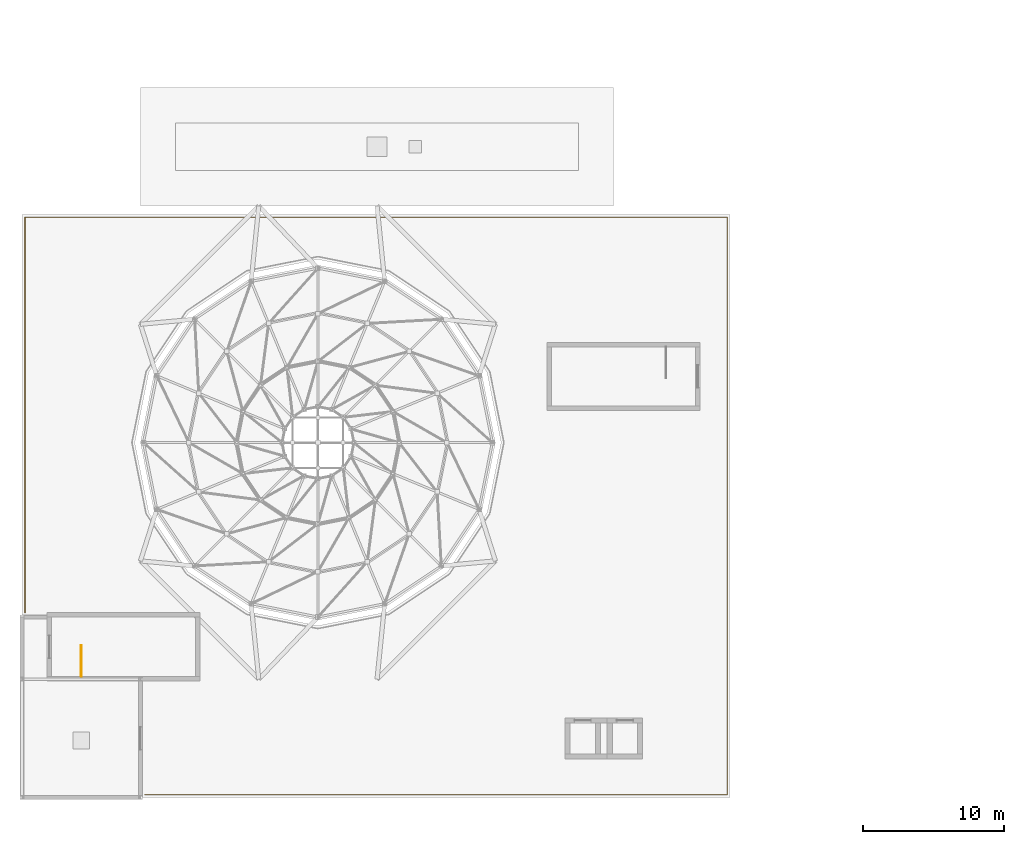
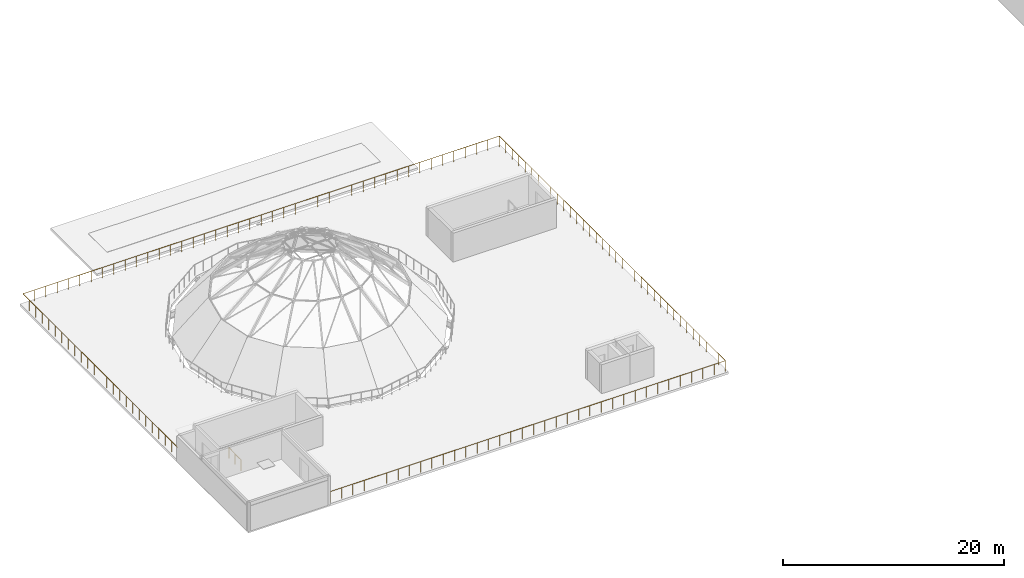
# One storey, part 34 of 40: 2 railings.
"""IFC4 building model written with IfcOpenShell, lengths in metres."""

from ifc_helpers import new_model, si_unit, direction, frame, origin, origin_2d, place, context, subcontext, project, spatial, circle, extrude, material, type_object, element, save


model = new_model("IFC4")

# Units and contexts
model_context = context("Model", 3, precision=1e-05, world=origin(), true_north=direction((0.0, 1.0)))
body_context = subcontext(model_context, "Body", "Model", "MODEL_VIEW")
ifc_project = project(units=[si_unit("LENGTHUNIT", "METRE"), si_unit("AREAUNIT", "SQUARE_METRE"), si_unit("VOLUMEUNIT", "CUBIC_METRE"), si_unit("PLANEANGLEUNIT", "RADIAN"), si_unit("MASSUNIT", "GRAM", prefix="KILO"), si_unit("THERMODYNAMICTEMPERATUREUNIT", "KELVIN")], contexts=[model_context])

# Site, building, storey
site_placement = place(None, origin())
site = spatial("IfcSite", under=ifc_project, at=site_placement, CompositionType="ELEMENT")
building_placement = place(site_placement, origin())
building = spatial("IfcBuilding", under=site, at=building_placement, Name="Lustrewick Department Store", CompositionType="ELEMENT")
storey_placement = place(building_placement, frame((0.0, 0.0, 31.800048828125)))
storey = spatial("IfcBuildingStorey", under=building, at=storey_placement, Name="L07", CompositionType="ELEMENT", Elevation=31.800048828125)

# Railings
ifc_material_1 = material(Name="Laminated glass and anodized aluminium guardrail", Category="aluminium")
railing_type_1 = type_object("IfcRailingType", Name="RL-EXT", PredefinedType="GUARDRAIL", material=ifc_material_1)
railing_1_placement = place(storey_placement, frame((8.60009765625, 55.10009765625, 0.0)))
element("IfcRailing", 1, at=railing_1_placement, inside=storey, type_object=railing_type_1, Name="L07 Terrace Perimeter Guardrail 0001", PredefinedType="GUARDRAIL", context=body_context, shape_type="SweptSolid", body=[
    extrude(circle(Radius=0.02392578125, at=origin_2d()), frame((0.0, 0.0, 1.17578125), z_axis=(0.0, 1.0, 0.0), x_axis=(-1.0, 0.0, 0.0)), (0.0, 0.0, 1.0), 28.099853515625),
    extrude(circle(Radius=0.02392578125, at=origin_2d()), frame((0.0, 28.099853515625, 1.17578125), z_axis=(1.0, 0.0, 0.0), x_axis=(0.0, 1.0, 0.0)), (0.0, 0.0, 1.0), 49.849853515625),
    extrude(circle(Radius=0.02392578125, at=origin_2d()), frame((49.849853515625, 28.099853515625, 1.17578125), z_axis=(0.0, -1.0, 0.0), x_axis=(1.0, 0.0, 0.0)), (0.0, 0.0, 1.0), 41.0),
    extrude(circle(Radius=0.02392578125, at=origin_2d()), frame((49.849853515625, -12.900146484375, 1.17578125), z_axis=(-1.0, 0.0, 0.0), x_axis=(0.0, -1.0, 0.0)), (0.0, 0.0, 1.0), 41.349853515625),
    extrude(circle(Radius=0.02099609375, at=origin_2d()), origin(), (0.0, 0.0, 1.0), 1.15185546875),
    extrude(circle(Radius=0.02099609375, at=origin_2d()), frame((0.0, 1.1708984375, 0.0)), (0.0, 0.0, 1.0), 1.15185546875),
    extrude(circle(Radius=0.02099609375, at=origin_2d()), frame((0.0, 2.341552734375, 0.0)), (0.0, 0.0, 1.0), 1.15185546875),
    extrude(circle(Radius=0.02099609375, at=origin_2d()), frame((0.0, 3.512451171875, 0.0)), (0.0, 0.0, 1.0), 1.15185546875),
    extrude(circle(Radius=0.02099609375, at=origin_2d()), frame((0.0, 4.683349609375, 0.0)), (0.0, 0.0, 1.0), 1.15185546875),
    extrude(circle(Radius=0.02099609375, at=origin_2d()), frame((0.0, 5.854248046875, 0.0)), (0.0, 0.0, 1.0), 1.15185546875),
    extrude(circle(Radius=0.02099609375, at=origin_2d()), frame((0.0, 7.02490234375, 0.0)), (0.0, 0.0, 1.0), 1.15185546875),
    extrude(circle(Radius=0.02099609375, at=origin_2d()), frame((0.0, 8.19580078125, 0.0)), (0.0, 0.0, 1.0), 1.15185546875),
    extrude(circle(Radius=0.02099609375, at=origin_2d()), frame((0.0, 9.36669921875, 0.0)), (0.0, 0.0, 1.0), 1.15185546875),
    extrude(circle(Radius=0.02099609375, at=origin_2d()), frame((0.0, 10.537353515625, 0.0)), (0.0, 0.0, 1.0), 1.15185546875),
    extrude(circle(Radius=0.02099609375, at=origin_2d()), frame((0.0, 11.708251953125, 0.0)), (0.0, 0.0, 1.0), 1.15185546875),
    extrude(circle(Radius=0.02099609375, at=origin_2d()), frame((0.0, 12.879150390625, 0.0)), (0.0, 0.0, 1.0), 1.15185546875),
    extrude(circle(Radius=0.02099609375, at=origin_2d()), frame((0.0, 14.0498046875, 0.0)), (0.0, 0.0, 1.0), 1.15185546875),
    extrude(circle(Radius=0.02099609375, at=origin_2d()), frame((0.0, 15.220703125, 0.0)), (0.0, 0.0, 1.0), 1.15185546875),
    extrude(circle(Radius=0.02099609375, at=origin_2d()), frame((0.0, 16.3916015625, 0.0)), (0.0, 0.0, 1.0), 1.15185546875),
    extrude(circle(Radius=0.02099609375, at=origin_2d()), frame((0.0, 17.5625, 0.0)), (0.0, 0.0, 1.0), 1.15185546875),
    extrude(circle(Radius=0.02099609375, at=origin_2d()), frame((0.0, 18.733154296875, 0.0)), (0.0, 0.0, 1.0), 1.15185546875),
    extrude(circle(Radius=0.02099609375, at=origin_2d()), frame((0.0, 19.904052734375, 0.0)), (0.0, 0.0, 1.0), 1.15185546875),
    extrude(circle(Radius=0.02099609375, at=origin_2d()), frame((0.0, 21.074951171875, 0.0)), (0.0, 0.0, 1.0), 1.15185546875),
    extrude(circle(Radius=0.02099609375, at=origin_2d()), frame((0.0, 22.24560546875, 0.0)), (0.0, 0.0, 1.0), 1.15185546875),
    extrude(circle(Radius=0.02099609375, at=origin_2d()), frame((0.0, 23.41650390625, 0.0)), (0.0, 0.0, 1.0), 1.15185546875),
    extrude(circle(Radius=0.02099609375, at=origin_2d()), frame((0.0, 24.58740234375, 0.0)), (0.0, 0.0, 1.0), 1.15185546875),
    extrude(circle(Radius=0.02099609375, at=origin_2d()), frame((0.0, 25.75830078125, 0.0)), (0.0, 0.0, 1.0), 1.15185546875),
    extrude(circle(Radius=0.02099609375, at=origin_2d()), frame((0.0, 26.928955078125, 0.0)), (0.0, 0.0, 1.0), 1.15185546875),
    extrude(circle(Radius=0.02099609375, at=origin_2d()), frame((0.0, 28.099853515625, 0.0)), (0.0, 0.0, 1.0), 1.15185546875),
    extrude(circle(Radius=0.02099609375, at=origin_2d()), frame((1.18701171875, 28.099853515625, 0.0)), (0.0, 0.0, 1.0), 1.15185546875),
    extrude(circle(Radius=0.02099609375, at=origin_2d()), frame((2.373779296875, 28.099853515625, 0.0)), (0.0, 0.0, 1.0), 1.15185546875),
    extrude(circle(Radius=0.02099609375, at=origin_2d()), frame((3.560791015625, 28.099853515625, 0.0)), (0.0, 0.0, 1.0), 1.15185546875),
    extrude(circle(Radius=0.02099609375, at=origin_2d()), frame((4.74755859375, 28.099853515625, 0.0)), (0.0, 0.0, 1.0), 1.15185546875),
    extrude(circle(Radius=0.02099609375, at=origin_2d()), frame((5.9345703125, 28.099853515625, 0.0)), (0.0, 0.0, 1.0), 1.15185546875),
    extrude(circle(Radius=0.02099609375, at=origin_2d()), frame((7.121337890625, 28.099853515625, 0.0)), (0.0, 0.0, 1.0), 1.15185546875),
    extrude(circle(Radius=0.02099609375, at=origin_2d()), frame((8.308349609375, 28.099853515625, 0.0)), (0.0, 0.0, 1.0), 1.15185546875),
    extrude(circle(Radius=0.02099609375, at=origin_2d()), frame((9.4951171875, 28.099853515625, 0.0)), (0.0, 0.0, 1.0), 1.15185546875),
    extrude(circle(Radius=0.02099609375, at=origin_2d()), frame((10.68212890625, 28.099853515625, 0.0)), (0.0, 0.0, 1.0), 1.15185546875),
    extrude(circle(Radius=0.02099609375, at=origin_2d()), frame((11.868896484375, 28.099853515625, 0.0)), (0.0, 0.0, 1.0), 1.15185546875),
    extrude(circle(Radius=0.02099609375, at=origin_2d()), frame((13.055908203125, 28.099853515625, 0.0)), (0.0, 0.0, 1.0), 1.15185546875),
    extrude(circle(Radius=0.02099609375, at=origin_2d()), frame((14.242919921875, 28.099853515625, 0.0)), (0.0, 0.0, 1.0), 1.15185546875),
    extrude(circle(Radius=0.02099609375, at=origin_2d()), frame((15.4296875, 28.099853515625, 0.0)), (0.0, 0.0, 1.0), 1.15185546875),
    extrude(circle(Radius=0.02099609375, at=origin_2d()), frame((16.61669921875, 28.099853515625, 0.0)), (0.0, 0.0, 1.0), 1.15185546875),
    extrude(circle(Radius=0.02099609375, at=origin_2d()), frame((17.803466796875, 28.099853515625, 0.0)), (0.0, 0.0, 1.0), 1.15185546875),
    extrude(circle(Radius=0.02099609375, at=origin_2d()), frame((18.990478515625, 28.099853515625, 0.0)), (0.0, 0.0, 1.0), 1.15185546875),
    extrude(circle(Radius=0.02099609375, at=origin_2d()), frame((20.17724609375, 28.099853515625, 0.0)), (0.0, 0.0, 1.0), 1.15185546875),
    extrude(circle(Radius=0.02099609375, at=origin_2d()), frame((21.3642578125, 28.099853515625, 0.0)), (0.0, 0.0, 1.0), 1.15185546875),
    extrude(circle(Radius=0.02099609375, at=origin_2d()), frame((22.551025390625, 28.099853515625, 0.0)), (0.0, 0.0, 1.0), 1.15185546875),
    extrude(circle(Radius=0.02099609375, at=origin_2d()), frame((23.738037109375, 28.099853515625, 0.0)), (0.0, 0.0, 1.0), 1.15185546875),
    extrude(circle(Radius=0.02099609375, at=origin_2d()), frame((24.9248046875, 28.099853515625, 0.0)), (0.0, 0.0, 1.0), 1.15185546875),
    extrude(circle(Radius=0.02099609375, at=origin_2d()), frame((26.11181640625, 28.099853515625, 0.0)), (0.0, 0.0, 1.0), 1.15185546875),
    extrude(circle(Radius=0.02099609375, at=origin_2d()), frame((27.298828125, 28.099853515625, 0.0)), (0.0, 0.0, 1.0), 1.15185546875),
    extrude(circle(Radius=0.02099609375, at=origin_2d()), frame((28.485595703125, 28.099853515625, 0.0)), (0.0, 0.0, 1.0), 1.15185546875),
    extrude(circle(Radius=0.02099609375, at=origin_2d()), frame((29.672607421875, 28.099853515625, 0.0)), (0.0, 0.0, 1.0), 1.15185546875),
    extrude(circle(Radius=0.02099609375, at=origin_2d()), frame((30.859375, 28.099853515625, 0.0)), (0.0, 0.0, 1.0), 1.15185546875),
    extrude(circle(Radius=0.02099609375, at=origin_2d()), frame((32.04638671875, 28.099853515625, 0.0)), (0.0, 0.0, 1.0), 1.15185546875),
    extrude(circle(Radius=0.02099609375, at=origin_2d()), frame((33.233154296875, 28.099853515625, 0.0)), (0.0, 0.0, 1.0), 1.15185546875),
    extrude(circle(Radius=0.02099609375, at=origin_2d()), frame((34.420166015625, 28.099853515625, 0.0)), (0.0, 0.0, 1.0), 1.15185546875),
    extrude(circle(Radius=0.02099609375, at=origin_2d()), frame((35.60693359375, 28.099853515625, 0.0)), (0.0, 0.0, 1.0), 1.15185546875),
    extrude(circle(Radius=0.02099609375, at=origin_2d()), frame((36.7939453125, 28.099853515625, 0.0)), (0.0, 0.0, 1.0), 1.15185546875),
    extrude(circle(Radius=0.02099609375, at=origin_2d()), frame((37.98095703125, 28.099853515625, 0.0)), (0.0, 0.0, 1.0), 1.15185546875),
    extrude(circle(Radius=0.02099609375, at=origin_2d()), frame((39.167724609375, 28.099853515625, 0.0)), (0.0, 0.0, 1.0), 1.15185546875),
    extrude(circle(Radius=0.02099609375, at=origin_2d()), frame((40.354736328125, 28.099853515625, 0.0)), (0.0, 0.0, 1.0), 1.15185546875),
    extrude(circle(Radius=0.02099609375, at=origin_2d()), frame((41.54150390625, 28.099853515625, 0.0)), (0.0, 0.0, 1.0), 1.15185546875),
    extrude(circle(Radius=0.02099609375, at=origin_2d()), frame((42.728515625, 28.099853515625, 0.0)), (0.0, 0.0, 1.0), 1.15185546875),
    extrude(circle(Radius=0.02099609375, at=origin_2d()), frame((43.915283203125, 28.099853515625, 0.0)), (0.0, 0.0, 1.0), 1.15185546875),
    extrude(circle(Radius=0.02099609375, at=origin_2d()), frame((45.102294921875, 28.099853515625, 0.0)), (0.0, 0.0, 1.0), 1.15185546875),
    extrude(circle(Radius=0.02099609375, at=origin_2d()), frame((46.2890625, 28.099853515625, 0.0)), (0.0, 0.0, 1.0), 1.15185546875),
    extrude(circle(Radius=0.02099609375, at=origin_2d()), frame((47.47607421875, 28.099853515625, 0.0)), (0.0, 0.0, 1.0), 1.15185546875),
    extrude(circle(Radius=0.02099609375, at=origin_2d()), frame((48.662841796875, 28.099853515625, 0.0)), (0.0, 0.0, 1.0), 1.15185546875),
    extrude(circle(Radius=0.02099609375, at=origin_2d()), frame((49.849853515625, 28.099853515625, 0.0)), (0.0, 0.0, 1.0), 1.15185546875),
    extrude(circle(Radius=0.02099609375, at=origin_2d()), frame((49.849853515625, 26.928466796875, 0.0)), (0.0, 0.0, 1.0), 1.15185546875),
    extrude(circle(Radius=0.02099609375, at=origin_2d()), frame((49.849853515625, 25.757080078125, 0.0)), (0.0, 0.0, 1.0), 1.15185546875),
    extrude(circle(Radius=0.02099609375, at=origin_2d()), frame((49.849853515625, 24.58544921875, 0.0)), (0.0, 0.0, 1.0), 1.15185546875),
    extrude(circle(Radius=0.02099609375, at=origin_2d()), frame((49.849853515625, 23.4140625, 0.0)), (0.0, 0.0, 1.0), 1.15185546875),
    extrude(circle(Radius=0.02099609375, at=origin_2d()), frame((49.849853515625, 22.24267578125, 0.0)), (0.0, 0.0, 1.0), 1.15185546875),
    extrude(circle(Radius=0.02099609375, at=origin_2d()), frame((49.849853515625, 21.0712890625, 0.0)), (0.0, 0.0, 1.0), 1.15185546875),
    extrude(circle(Radius=0.02099609375, at=origin_2d()), frame((49.849853515625, 19.89990234375, 0.0)), (0.0, 0.0, 1.0), 1.15185546875),
    extrude(circle(Radius=0.02099609375, at=origin_2d()), frame((49.849853515625, 18.728515625, 0.0)), (0.0, 0.0, 1.0), 1.15185546875),
    extrude(circle(Radius=0.02099609375, at=origin_2d()), frame((49.849853515625, 17.556884765625, 0.0)), (0.0, 0.0, 1.0), 1.15185546875),
    extrude(circle(Radius=0.02099609375, at=origin_2d()), frame((49.849853515625, 16.385498046875, 0.0)), (0.0, 0.0, 1.0), 1.15185546875),
    extrude(circle(Radius=0.02099609375, at=origin_2d()), frame((49.849853515625, 15.214111328125, 0.0)), (0.0, 0.0, 1.0), 1.15185546875),
    extrude(circle(Radius=0.02099609375, at=origin_2d()), frame((49.849853515625, 14.042724609375, 0.0)), (0.0, 0.0, 1.0), 1.15185546875),
    extrude(circle(Radius=0.02099609375, at=origin_2d()), frame((49.849853515625, 12.871337890625, 0.0)), (0.0, 0.0, 1.0), 1.15185546875),
    extrude(circle(Radius=0.02099609375, at=origin_2d()), frame((49.849853515625, 11.699951171875, 0.0)), (0.0, 0.0, 1.0), 1.15185546875),
    extrude(circle(Radius=0.02099609375, at=origin_2d()), frame((49.849853515625, 10.5283203125, 0.0)), (0.0, 0.0, 1.0), 1.15185546875),
    extrude(circle(Radius=0.02099609375, at=origin_2d()), frame((49.849853515625, 9.35693359375, 0.0)), (0.0, 0.0, 1.0), 1.15185546875),
    extrude(circle(Radius=0.02099609375, at=origin_2d()), frame((49.849853515625, 8.185546875, 0.0)), (0.0, 0.0, 1.0), 1.15185546875),
    extrude(circle(Radius=0.02099609375, at=origin_2d()), frame((49.849853515625, 7.01416015625, 0.0)), (0.0, 0.0, 1.0), 1.15185546875),
    extrude(circle(Radius=0.02099609375, at=origin_2d()), frame((49.849853515625, 5.8427734375, 0.0)), (0.0, 0.0, 1.0), 1.15185546875),
    extrude(circle(Radius=0.02099609375, at=origin_2d()), frame((49.849853515625, 4.67138671875, 0.0)), (0.0, 0.0, 1.0), 1.15185546875),
    extrude(circle(Radius=0.02099609375, at=origin_2d()), frame((49.849853515625, 3.499755859375, 0.0)), (0.0, 0.0, 1.0), 1.15185546875),
    extrude(circle(Radius=0.02099609375, at=origin_2d()), frame((49.849853515625, 2.328369140625, 0.0)), (0.0, 0.0, 1.0), 1.15185546875),
    extrude(circle(Radius=0.02099609375, at=origin_2d()), frame((49.849853515625, 1.156982421875, 0.0)), (0.0, 0.0, 1.0), 1.15185546875),
    extrude(circle(Radius=0.02099609375, at=origin_2d()), frame((49.849853515625, -0.014404296875, 0.0)), (0.0, 0.0, 1.0), 1.15185546875),
    extrude(circle(Radius=0.02099609375, at=origin_2d()), frame((49.849853515625, -1.185791015625, 0.0)), (0.0, 0.0, 1.0), 1.15185546875),
    extrude(circle(Radius=0.02099609375, at=origin_2d()), frame((49.849853515625, -2.357177734375, 0.0)), (0.0, 0.0, 1.0), 1.15185546875),
    extrude(circle(Radius=0.02099609375, at=origin_2d()), frame((49.849853515625, -3.52880859375, 0.0)), (0.0, 0.0, 1.0), 1.15185546875),
    extrude(circle(Radius=0.02099609375, at=origin_2d()), frame((49.849853515625, -4.7001953125, 0.0)), (0.0, 0.0, 1.0), 1.15185546875),
    extrude(circle(Radius=0.02099609375, at=origin_2d()), frame((49.849853515625, -5.87158203125, 0.0)), (0.0, 0.0, 1.0), 1.15185546875),
    extrude(circle(Radius=0.02099609375, at=origin_2d()), frame((49.849853515625, -7.04296875, 0.0)), (0.0, 0.0, 1.0), 1.15185546875),
    extrude(circle(Radius=0.02099609375, at=origin_2d()), frame((49.849853515625, -8.21435546875, 0.0)), (0.0, 0.0, 1.0), 1.15185546875),
    extrude(circle(Radius=0.02099609375, at=origin_2d()), frame((49.849853515625, -9.3857421875, 0.0)), (0.0, 0.0, 1.0), 1.15185546875),
    extrude(circle(Radius=0.02099609375, at=origin_2d()), frame((49.849853515625, -10.557373046875, 0.0)), (0.0, 0.0, 1.0), 1.15185546875),
    extrude(circle(Radius=0.02099609375, at=origin_2d()), frame((49.849853515625, -11.728759765625, 0.0)), (0.0, 0.0, 1.0), 1.15185546875),
    extrude(circle(Radius=0.02099609375, at=origin_2d()), frame((49.849853515625, -12.900146484375, 0.0)), (0.0, 0.0, 1.0), 1.15185546875),
    extrude(circle(Radius=0.02099609375, at=origin_2d()), frame((48.66845703125, -12.900146484375, 0.0)), (0.0, 0.0, 1.0), 1.15185546875),
    extrude(circle(Radius=0.02099609375, at=origin_2d()), frame((47.487060546875, -12.900146484375, 0.0)), (0.0, 0.0, 1.0), 1.15185546875),
    extrude(circle(Radius=0.02099609375, at=origin_2d()), frame((46.3056640625, -12.900146484375, 0.0)), (0.0, 0.0, 1.0), 1.15185546875),
    extrude(circle(Radius=0.02099609375, at=origin_2d()), frame((45.124267578125, -12.900146484375, 0.0)), (0.0, 0.0, 1.0), 1.15185546875),
    extrude(circle(Radius=0.02099609375, at=origin_2d()), frame((43.942626953125, -12.900146484375, 0.0)), (0.0, 0.0, 1.0), 1.15185546875),
    extrude(circle(Radius=0.02099609375, at=origin_2d()), frame((42.76123046875, -12.900146484375, 0.0)), (0.0, 0.0, 1.0), 1.15185546875),
    extrude(circle(Radius=0.02099609375, at=origin_2d()), frame((41.579833984375, -12.900146484375, 0.0)), (0.0, 0.0, 1.0), 1.15185546875),
    extrude(circle(Radius=0.02099609375, at=origin_2d()), frame((40.3984375, -12.900146484375, 0.0)), (0.0, 0.0, 1.0), 1.15185546875),
    extrude(circle(Radius=0.02099609375, at=origin_2d()), frame((39.217041015625, -12.900146484375, 0.0)), (0.0, 0.0, 1.0), 1.15185546875),
    extrude(circle(Radius=0.02099609375, at=origin_2d()), frame((38.03564453125, -12.900146484375, 0.0)), (0.0, 0.0, 1.0), 1.15185546875),
    extrude(circle(Radius=0.02099609375, at=origin_2d()), frame((36.854248046875, -12.900146484375, 0.0)), (0.0, 0.0, 1.0), 1.15185546875),
    extrude(circle(Radius=0.02099609375, at=origin_2d()), frame((35.6728515625, -12.900146484375, 0.0)), (0.0, 0.0, 1.0), 1.15185546875),
    extrude(circle(Radius=0.02099609375, at=origin_2d()), frame((34.491455078125, -12.900146484375, 0.0)), (0.0, 0.0, 1.0), 1.15185546875),
    extrude(circle(Radius=0.02099609375, at=origin_2d()), frame((33.309814453125, -12.900146484375, 0.0)), (0.0, 0.0, 1.0), 1.15185546875),
    extrude(circle(Radius=0.02099609375, at=origin_2d()), frame((32.12841796875, -12.900146484375, 0.0)), (0.0, 0.0, 1.0), 1.15185546875),
    extrude(circle(Radius=0.02099609375, at=origin_2d()), frame((30.947021484375, -12.900146484375, 0.0)), (0.0, 0.0, 1.0), 1.15185546875),
    extrude(circle(Radius=0.02099609375, at=origin_2d()), frame((29.765625, -12.900146484375, 0.0)), (0.0, 0.0, 1.0), 1.15185546875),
    extrude(circle(Radius=0.02099609375, at=origin_2d()), frame((28.584228515625, -12.900146484375, 0.0)), (0.0, 0.0, 1.0), 1.15185546875),
    extrude(circle(Radius=0.02099609375, at=origin_2d()), frame((27.40283203125, -12.900146484375, 0.0)), (0.0, 0.0, 1.0), 1.15185546875),
    extrude(circle(Radius=0.02099609375, at=origin_2d()), frame((26.221435546875, -12.900146484375, 0.0)), (0.0, 0.0, 1.0), 1.15185546875),
    extrude(circle(Radius=0.02099609375, at=origin_2d()), frame((25.0400390625, -12.900146484375, 0.0)), (0.0, 0.0, 1.0), 1.15185546875),
    extrude(circle(Radius=0.02099609375, at=origin_2d()), frame((23.8583984375, -12.900146484375, 0.0)), (0.0, 0.0, 1.0), 1.15185546875),
    extrude(circle(Radius=0.02099609375, at=origin_2d()), frame((22.677001953125, -12.900146484375, 0.0)), (0.0, 0.0, 1.0), 1.15185546875),
    extrude(circle(Radius=0.02099609375, at=origin_2d()), frame((21.49560546875, -12.900146484375, 0.0)), (0.0, 0.0, 1.0), 1.15185546875),
    extrude(circle(Radius=0.02099609375, at=origin_2d()), frame((20.314208984375, -12.900146484375, 0.0)), (0.0, 0.0, 1.0), 1.15185546875),
    extrude(circle(Radius=0.02099609375, at=origin_2d()), frame((19.1328125, -12.900146484375, 0.0)), (0.0, 0.0, 1.0), 1.15185546875),
    extrude(circle(Radius=0.02099609375, at=origin_2d()), frame((17.951416015625, -12.900146484375, 0.0)), (0.0, 0.0, 1.0), 1.15185546875),
    extrude(circle(Radius=0.02099609375, at=origin_2d()), frame((16.77001953125, -12.900146484375, 0.0)), (0.0, 0.0, 1.0), 1.15185546875),
    extrude(circle(Radius=0.02099609375, at=origin_2d()), frame((15.588623046875, -12.900146484375, 0.0)), (0.0, 0.0, 1.0), 1.15185546875),
    extrude(circle(Radius=0.02099609375, at=origin_2d()), frame((14.4072265625, -12.900146484375, 0.0)), (0.0, 0.0, 1.0), 1.15185546875),
    extrude(circle(Radius=0.02099609375, at=origin_2d()), frame((13.2255859375, -12.900146484375, 0.0)), (0.0, 0.0, 1.0), 1.15185546875),
    extrude(circle(Radius=0.02099609375, at=origin_2d()), frame((12.044189453125, -12.900146484375, 0.0)), (0.0, 0.0, 1.0), 1.15185546875),
    extrude(circle(Radius=0.02099609375, at=origin_2d()), frame((10.86279296875, -12.900146484375, 0.0)), (0.0, 0.0, 1.0), 1.15185546875),
    extrude(circle(Radius=0.02099609375, at=origin_2d()), frame((9.681396484375, -12.900146484375, 0.0)), (0.0, 0.0, 1.0), 1.15185546875),
    extrude(circle(Radius=0.02099609375, at=origin_2d()), frame((8.5, -12.900146484375, 0.0)), (0.0, 0.0, 1.0), 1.15185546875),
])
ifc_material_2 = material(Name="Painted tubular steel stairwell guardrail", Category="steel")
railing_type_2 = type_object("IfcRailingType", Name="RL-STG", PredefinedType="GUARDRAIL", material=ifc_material_2)
railing_2_placement = place(storey_placement, frame((12.60009765625, 50.60009765625, 0.0)))
element("IfcRailing", 2, at=railing_2_placement, inside=storey, type_object=railing_type_2, Name="L07 ST01 Top Well Guard 1", PredefinedType="GUARDRAIL", context=body_context, shape_type="SweptSolid", body=[
    extrude(circle(Radius=0.02392578125, at=origin_2d()), frame((0.0, 0.0, 1.17578125), z_axis=(0.0, 1.0, 0.0), x_axis=(-1.0, 0.0, 0.0)), (0.0, 0.0, 1.0), 2.199951171875),
    extrude(circle(Radius=0.02099609375, at=origin_2d()), origin(), (0.0, 0.0, 1.0), 1.15185546875),
    extrude(circle(Radius=0.02099609375, at=origin_2d()), frame((0.0, 1.10009765625, 0.0)), (0.0, 0.0, 1.0), 1.15185546875),
    extrude(circle(Radius=0.02099609375, at=origin_2d()), frame((0.0, 2.199951171875, 0.0)), (0.0, 0.0, 1.0), 1.15185546875),
])

save(model, "model.ifc")
